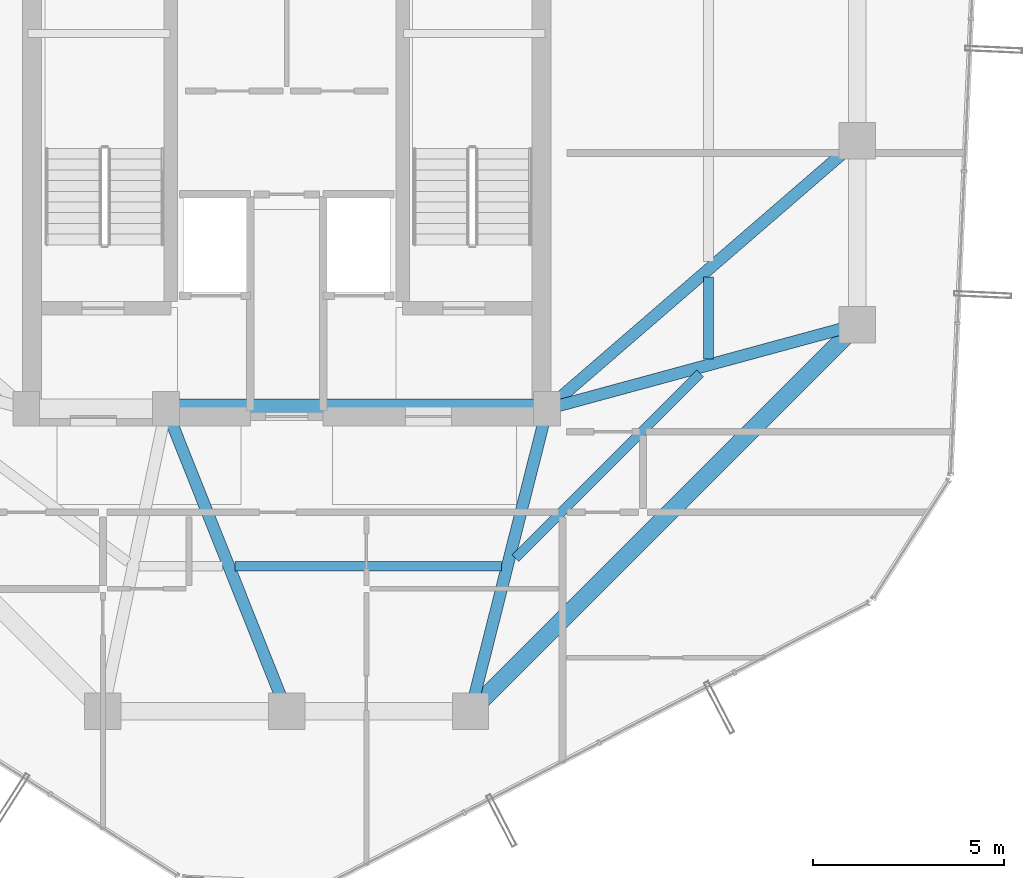
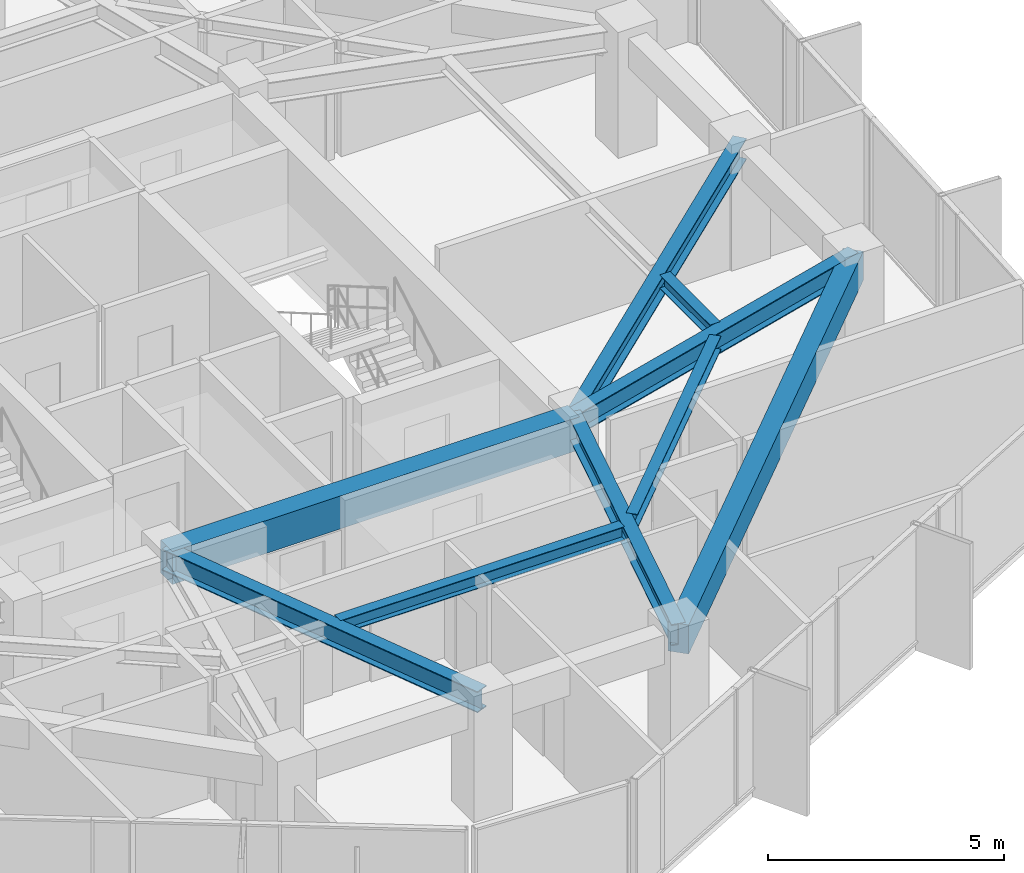
# One storey, part 10 of 29: 9 beams.
"""IFC4 building model written with IfcOpenShell, lengths in metres."""

import ifcopenshell
import ifcopenshell.guid

model = None  # the IFC model being written
_history = None  # IfcOwnerHistory: only IFC2X3 demands one
_inside = {}  # id of a spatial element -> (the spatial element, [elements in it])
_under = {}  # id of a project, library or spatial element -> (it, [spatial elements below it])
_declared = {}  # id of a project -> (the project, [libraries it declares])
_typed = {}  # id of a type object -> (the type object, [elements of that type])
_made_of = {}  # id of a material, layer set ... -> (it, [elements and type objects made of it])


def new_model(schema):
    """Start an empty IFC model of exactly this schema.

    Asked for "IFC4X3", IfcOpenShell would pick the latest addendum, in which some entities
    have other attributes; the version numbers below select the first issue.
    IFC2X3 requires an IfcOwnerHistory on every rooted entity: one is made here for all.
    """
    global model, _history
    if schema == "IFC4X3":
        model = ifcopenshell.file(schema_version=(4, 3, 0, 0))
    else:
        model = ifcopenshell.file(schema=schema)
    _inside.clear()
    _under.clear()
    _declared.clear()
    _typed.clear()
    _made_of.clear()
    _history = None
    if model.schema == "IFC2X3":
        org = make("IfcOrganization", Name="unknown")
        user = make(
            "IfcPersonAndOrganization",
            ThePerson=make("IfcPerson", FamilyName="unknown"),
            TheOrganization=org,
        )
        app = make(
            "IfcApplication",
            ApplicationDeveloper=org,
            Version="unknown",
            ApplicationFullName="unknown",
            ApplicationIdentifier="unknown",
        )
        _history = make(
            "IfcOwnerHistory",
            OwningUser=user,
            OwningApplication=app,
            ChangeAction="ADDED",
            CreationDate=0,
        )
    return model


def make(cls, **values):
    """One entity of the class cls with the attributes given. An attribute that is None is left unset."""
    return model.create_entity(
        cls, **{name: value for name, value in values.items() if value is not None}
    )


def rooted(cls, **values):
    """An entity with a GlobalId (a new one), such as an element, a storey or a relation."""
    return make(cls, GlobalId=ifcopenshell.guid.new(), OwnerHistory=_history, **values)


def si_unit(unit_type, name, prefix=None):
    """IfcSIUnit, for example si_unit("LENGTHUNIT", "METRE", prefix="MILLI")."""
    return make("IfcSIUnit", UnitType=unit_type, Prefix=prefix, Name=name)


def assignment(units):
    """IfcUnitAssignment: the units of a project."""
    return None if units is None else make("IfcUnitAssignment", Units=units)


def point(xyz):
    """IfcCartesianPoint."""
    return None if xyz is None else make("IfcCartesianPoint", Coordinates=xyz)


def direction(xyz):
    """IfcDirection."""
    return None if xyz is None else make("IfcDirection", DirectionRatios=xyz)


def frame(location, z_axis=None, x_axis=None):
    """IfcAxis2Placement3D, a coordinate frame: its origin and axes. An axis left out is left unset."""
    return make(
        "IfcAxis2Placement3D",
        Location=point(location),
        Axis=direction(z_axis),
        RefDirection=direction(x_axis),
    )


def frame_2d(location, x_axis=None):
    """IfcAxis2Placement2D, a coordinate frame in the plane: its origin and x axis."""
    return make(
        "IfcAxis2Placement2D", Location=point(location), RefDirection=direction(x_axis)
    )


def origin():
    """The frame at (0, 0, 0) with its axes left unset."""
    return frame((0.0, 0.0, 0.0))


def origin_2d():
    """The frame at (0, 0) in the plane with its x axis left unset."""
    return frame_2d((0.0, 0.0))


def place(relative_to, where):
    """IfcLocalPlacement: puts the frame where relative to a parent placement (None: the world)."""
    return make(
        "IfcLocalPlacement", PlacementRelTo=relative_to, RelativePlacement=where
    )


def context(
    kind, dimensions, precision=None, world=None, true_north=None, identifier=None
):
    """IfcGeometricRepresentationContext, for example the 3D "Model" context."""
    return make(
        "IfcGeometricRepresentationContext",
        ContextIdentifier=identifier,
        ContextType=kind,
        CoordinateSpaceDimension=dimensions,
        Precision=precision,
        WorldCoordinateSystem=world,
        TrueNorth=true_north,
    )


def subcontext(parent, identifier, kind, view, scale=None):
    """IfcGeometricRepresentationSubContext, for example "Body" below "Model"."""
    return make(
        "IfcGeometricRepresentationSubContext",
        ContextIdentifier=identifier,
        ContextType=kind,
        ParentContext=parent,
        TargetScale=scale,
        TargetView=view,
    )


def project(units=None, contexts=None):
    """IfcProject with its units and contexts."""
    return rooted(
        "IfcProject",
        Name="project",
        RepresentationContexts=contexts,
        UnitsInContext=assignment(units),
    )


def spatial(cls, under=None, at=None, **own):
    """A site, building, storey or space (cls), placed at a placement, below another one or the project."""
    s = rooted(cls, ObjectPlacement=at, **own)
    if under is not None:
        _under.setdefault(under.id(), (under, []))[1].append(s)
    return s


def profile(cls, at=None, kind="AREA", **sizes):
    """A parametric profile (cls). Its sizes go by their IFC names, for example OverallWidth=200.0."""
    return make(cls, ProfileType=kind, Position=at, **sizes)


def rectangle(**sizes):
    """IfcRectangleProfileDef."""
    return profile("IfcRectangleProfileDef", **sizes)


def i_section(**sizes):
    """IfcIShapeProfileDef."""
    return profile("IfcIShapeProfileDef", **sizes)


def extrude(swept, where, along, depth):
    """IfcExtrudedAreaSolid: the profile swept, set in the frame where, extruded along a direction by depth."""
    return make(
        "IfcExtrudedAreaSolid",
        SweptArea=swept,
        Position=where,
        ExtrudedDirection=direction(along),
        Depth=depth,
    )


def shape(context_of_items, identifier, shape_type, items):
    """IfcShapeRepresentation: the items that make up one representation, for example the "Body"."""
    return make(
        "IfcShapeRepresentation",
        ContextOfItems=context_of_items,
        RepresentationIdentifier=identifier,
        RepresentationType=shape_type,
        Items=items,
    )


def material(Name=None, Category=None):
    """IfcMaterial."""
    return make("IfcMaterial", Name=Name, Category=Category)


def material_profile(
    of_material, cross_section, Name=None, Category=None, Priority=None
):
    """IfcMaterialProfile: a cross section and its material."""
    return make(
        "IfcMaterialProfile",
        Name=Name,
        Material=of_material,
        Profile=cross_section,
        Priority=Priority,
        Category=Category,
    )


def profile_set(profiles, Name=None, composite=None):
    """IfcMaterialProfileSet."""
    return make(
        "IfcMaterialProfileSet",
        Name=Name,
        MaterialProfiles=profiles,
        CompositeProfile=composite,
    )


def made_of(thing, what):
    """Note that an element or type object is made of a material, layer set ...; save() writes the relation."""
    if what is not None:
        _made_of.setdefault(what.id(), (what, []))[1].append(thing)
    return thing


def type_object(cls, material=None, **own):
    """A type object (cls), such as IfcWallType, which elements share."""
    return made_of(rooted(cls, **own), material)


def element(
    cls,
    number,
    at=None,
    inside=None,
    cuts=None,
    type_object=None,
    material=None,
    context=None,
    identifier="Body",
    shape_type=None,
    held_by="IfcProductDefinitionShape",
    body=None,
    shapes=None,
    **own,
):
    """One element of the class cls, such as IfcWall. Its Tag is "e" and its number.

    at: its placement. inside: the storey or other place that contains it. cuts: it is an
    opening in that element (IfcRelVoidsElement). A single representation is given by context,
    identifier, shape_type and body (its items); several are given by shapes. held_by: the class
    of the entity that holds the representations. save() writes the other relations.
    """
    e = rooted(cls, Tag="e%d" % number, ObjectPlacement=at, **own)
    if body is not None:
        shapes = [shape(context, identifier, shape_type, body)]
    if shapes is not None:
        e.Representation = make(held_by, Representations=shapes)
    if inside is not None:
        _inside.setdefault(inside.id(), (inside, []))[1].append(e)
    if cuts is not None:
        rooted(
            "IfcRelVoidsElement", RelatingBuildingElement=cuts, RelatedOpeningElement=e
        )
    if type_object is not None:
        _typed.setdefault(type_object.id(), (type_object, []))[1].append(e)
    return made_of(e, material)


def aggregate(whole, parts):
    """IfcRelAggregates: a whole, such as a stair, and the parts it consists of."""
    return rooted("IfcRelAggregates", RelatingObject=whole, RelatedObjects=parts)


def save(model, path):
    """Write the relations noted so far, then the file.

    IfcRelAggregates (storeys below a building ...), IfcRelContainedInSpatialStructure (elements
    in a storey), IfcRelDefinesByType, IfcRelAssociatesMaterial and IfcRelDeclares: one each for
    every whole, place, type object, material and project.
    """
    for whole, parts in _under.values():
        aggregate(whole, parts)
    for where, things in _inside.values():
        rooted(
            "IfcRelContainedInSpatialStructure",
            RelatedElements=things,
            RelatingStructure=where,
        )
    for kind, things in _typed.values():
        rooted("IfcRelDefinesByType", RelatedObjects=things, RelatingType=kind)
    for what, things in _made_of.values():
        rooted("IfcRelAssociatesMaterial", RelatedObjects=things, RelatingMaterial=what)
    for by, libraries in _declared.values():
        rooted("IfcRelDeclares", RelatingContext=by, RelatedDefinitions=libraries)
    model.write(path)


model = new_model("IFC4")

# Units and contexts
model_context = context("Model", 3, precision=1e-05, world=origin(), true_north=direction((0.0, 1.0)))
body_context = subcontext(model_context, "Body", "Model", "MODEL_VIEW")
ifc_project = project(units=[si_unit("LENGTHUNIT", "METRE"), si_unit("AREAUNIT", "SQUARE_METRE"), si_unit("VOLUMEUNIT", "CUBIC_METRE"), si_unit("PLANEANGLEUNIT", "RADIAN"), si_unit("MASSUNIT", "GRAM", prefix="KILO")], contexts=[model_context])

# Site, building, storey
site_placement = place(None, origin())
site = spatial("IfcSite", under=ifc_project, at=site_placement, CompositionType="ELEMENT")
building_placement = place(site_placement, origin())
building = spatial("IfcBuilding", under=site, at=building_placement, Name="Veraguas Prism Commons", CompositionType="ELEMENT")
storey_placement = place(building_placement, frame((0.0, 0.0, 215.64990234375)))
storey = spatial("IfcBuildingStorey", under=building, at=storey_placement, Name="L61", CompositionType="ELEMENT", Elevation=215.64990234375)

# Beams
ifc_material_1 = material(Name="Concrete C50/60", Category="concrete")
ifc_material_profile_1 = material_profile(ifc_material_1, rectangle(XDim=0.5, YDim=0.85009765625, at=origin_2d()), Name="RC500X850")
ifc_profile_set_1 = profile_set([ifc_material_profile_1], Name="Concrete C50/60")
beam_type_1 = type_object("IfcBeamType", Name="Core Coupling Beam RC 500x850", PredefinedType="BEAM", material=ifc_profile_set_1)
beam_1_placement = place(storey_placement, frame((20.85009765625, 17.0, 2.590087890625), z_axis=(1.0, 0.0, 0.0), x_axis=(0.0, 1.0, 0.0)))
element("IfcBeam", 1, at=beam_1_placement, inside=storey, type_object=beam_type_1, Name="Core Coupling Beam L61-CRS2", PredefinedType="BEAM", context=body_context, shape_type="SweptSolid", body=[
    extrude(rectangle(XDim=0.5, YDim=0.85009765625, at=origin_2d()), origin(), (0.0, 0.0, 1.0), 9.949951171875),
])
ifc_material_profile_2 = material_profile(ifc_material_1, rectangle(XDim=0.449951171875, YDim=0.75, at=origin_2d()), Name="RC450X750")
ifc_profile_set_2 = profile_set([ifc_material_profile_2], Name="Concrete C50/60")
beam_type_2 = type_object("IfcBeamType", Name="Perimeter Spandrel Upper RC 450x750", PredefinedType="SPANDREL", material=ifc_profile_set_2)
beam_2_placement = place(storey_placement, frame((28.800048828125, 9.10009765625, 2.64013671875), z_axis=(0.707106781187, 0.707106781187, 0.0), x_axis=(-0.707106781187, 0.707106781187, 0.0)))
element("IfcBeam", 2, at=beam_2_placement, inside=storey, type_object=beam_type_2, Name="Perimeter Spandrel Beam L61-SP12", PredefinedType="SPANDREL", context=body_context, shape_type="SweptSolid", body=[
    extrude(rectangle(XDim=0.449951171875, YDim=0.75, at=origin_2d()), origin(), (0.0, 0.0, 1.0), 14.283447265625),
])
ifc_material_2 = material(Name="Steel ASTM A992 Grade 50", Category="steel")
ifc_material_profile_3 = material_profile(ifc_material_2, i_section(OverallWidth=0.25390625, OverallDepth=0.35302734375, WebThickness=0.009521484375, FlangeThickness=0.016357421875, at=origin_2d()), Name="W360X91")
ifc_profile_set_3 = profile_set([ifc_material_profile_3], Name="Steel ASTM A992 Grade 50")
beam_type_3 = type_object("IfcBeamType", Name="Upper Floor Joist W360x91", PredefinedType="JOIST", material=ifc_profile_set_3)
beam_3_placement = place(storey_placement, frame((35.011962890625, 18.302978515625, 2.838623046875), z_axis=(0.0, 1.0, 0.0), x_axis=(-1.0, 0.0, 0.0)))
element("IfcBeam", 3, at=beam_3_placement, inside=storey, type_object=beam_type_3, Name="Composite Floor Joist L61-JS01", PredefinedType="JOIST", context=body_context, shape_type="SweptSolid", body=[
    extrude(i_section(OverallWidth=0.25390625, OverallDepth=0.35302734375, WebThickness=0.009521484375, FlangeThickness=0.016357421875, at=origin_2d()), origin(), (0.0, 0.0, 1.0), 2.134033203125),
])
beam_4_placement = place(storey_placement, frame((22.6533203125, 12.89208984375, 2.838623046875), z_axis=(1.0, 0.0, 0.0), x_axis=(0.0, 1.0, 0.0)))
element("IfcBeam", 4, at=beam_4_placement, inside=storey, type_object=beam_type_3, Name="Composite Floor Joist L61-JS11", PredefinedType="JOIST", context=body_context, shape_type="SweptSolid", body=[
    extrude(i_section(OverallWidth=0.25390625, OverallDepth=0.35302734375, WebThickness=0.009521484375, FlangeThickness=0.016357421875, at=origin_2d()), origin(), (0.0, 0.0, 1.0), 6.948486328125),
])
beam_5_placement = place(storey_placement, frame((29.971923828125, 13.10400390625, 2.838623046875), z_axis=(0.707124682851, 0.707088879069, 0.0), x_axis=(-0.707088879069, 0.707124682851, 0.0)))
element("IfcBeam", 5, at=beam_5_placement, inside=storey, type_object=beam_type_3, Name="Composite Floor Joist L61-JS12", PredefinedType="JOIST", context=body_context, shape_type="SweptSolid", body=[
    extrude(i_section(OverallWidth=0.25390625, OverallDepth=0.35302734375, WebThickness=0.009521484375, FlangeThickness=0.016357421875, at=origin_2d()), origin(), (0.0, 0.0, 1.0), 6.81884765625),
])
ifc_material_profile_4 = material_profile(ifc_material_2, i_section(OverallWidth=0.31103515625, OverallDepth=0.5458984375, WebThickness=0.0146484375, FlangeThickness=0.023681640625, at=origin_2d()), Name="W530X165")
ifc_profile_set_4 = profile_set([ifc_material_profile_4], Name="Steel ASTM A992 Grade 50")
beam_type_4 = type_object("IfcBeamType", Name="Zone 3 Radial Girder W530x165", PredefinedType="BEAM", material=ifc_profile_set_4)
beam_6_placement = place(storey_placement, frame((38.89990234375, 19.199951171875, 2.7421875), z_axis=(-0.965038506703, -0.262108146725, 0.0), x_axis=(0.262108146725, -0.965038506703, 0.0)))
element("IfcBeam", 6, at=beam_6_placement, inside=storey, type_object=beam_type_4, Name="Radial Floor Girder L61-RD01", PredefinedType="BEAM", context=body_context, shape_type="SweptSolid", body=[
    extrude(i_section(OverallWidth=0.31103515625, OverallDepth=0.5458984375, WebThickness=0.0146484375, FlangeThickness=0.023681640625, at=origin_2d()), origin(), (0.0, 0.0, 1.0), 8.393310546875),
])
beam_7_placement = place(storey_placement, frame((38.89990234375, 24.0, 2.7421875), z_axis=(-0.756607086554, -0.653869800936, 0.0), x_axis=(0.653869800936, -0.756607086554, 0.0)))
element("IfcBeam", 7, at=beam_7_placement, inside=storey, type_object=beam_type_4, Name="Radial Floor Girder L61-RD02", PredefinedType="BEAM", context=body_context, shape_type="SweptSolid", body=[
    extrude(i_section(OverallWidth=0.31103515625, OverallDepth=0.5458984375, WebThickness=0.0146484375, FlangeThickness=0.023681640625, at=origin_2d()), origin(), (0.0, 0.0, 1.0), 10.70556640625),
])
beam_8_placement = place(storey_placement, frame((24.0, 9.10009765625, 2.7421875), z_axis=(-0.370370877803, 0.928883960931, 0.0), x_axis=(-0.928883960931, -0.370370877803, 0.0)))
element("IfcBeam", 8, at=beam_8_placement, inside=storey, type_object=beam_type_4, Name="Radial Floor Girder L61-RD11", PredefinedType="BEAM", context=body_context, shape_type="SweptSolid", body=[
    extrude(i_section(OverallWidth=0.31103515625, OverallDepth=0.5458984375, WebThickness=0.0146484375, FlangeThickness=0.023681640625, at=origin_2d()), origin(), (0.0, 0.0, 1.0), 8.504638671875),
])
beam_9_placement = place(storey_placement, frame((28.800048828125, 9.10009765625, 2.7421875), z_axis=(0.245424718066, 0.969415652732, 0.0), x_axis=(-0.969415652732, 0.245424718066, 0.0)))
element("IfcBeam", 9, at=beam_9_placement, inside=storey, type_object=beam_type_4, Name="Radial Floor Girder L61-RD12", PredefinedType="BEAM", context=body_context, shape_type="SweptSolid", body=[
    extrude(i_section(OverallWidth=0.31103515625, OverallDepth=0.5458984375, WebThickness=0.0146484375, FlangeThickness=0.023681640625, at=origin_2d()), origin(), (0.0, 0.0, 1.0), 8.149169921875),
])

save(model, "model.ifc")
